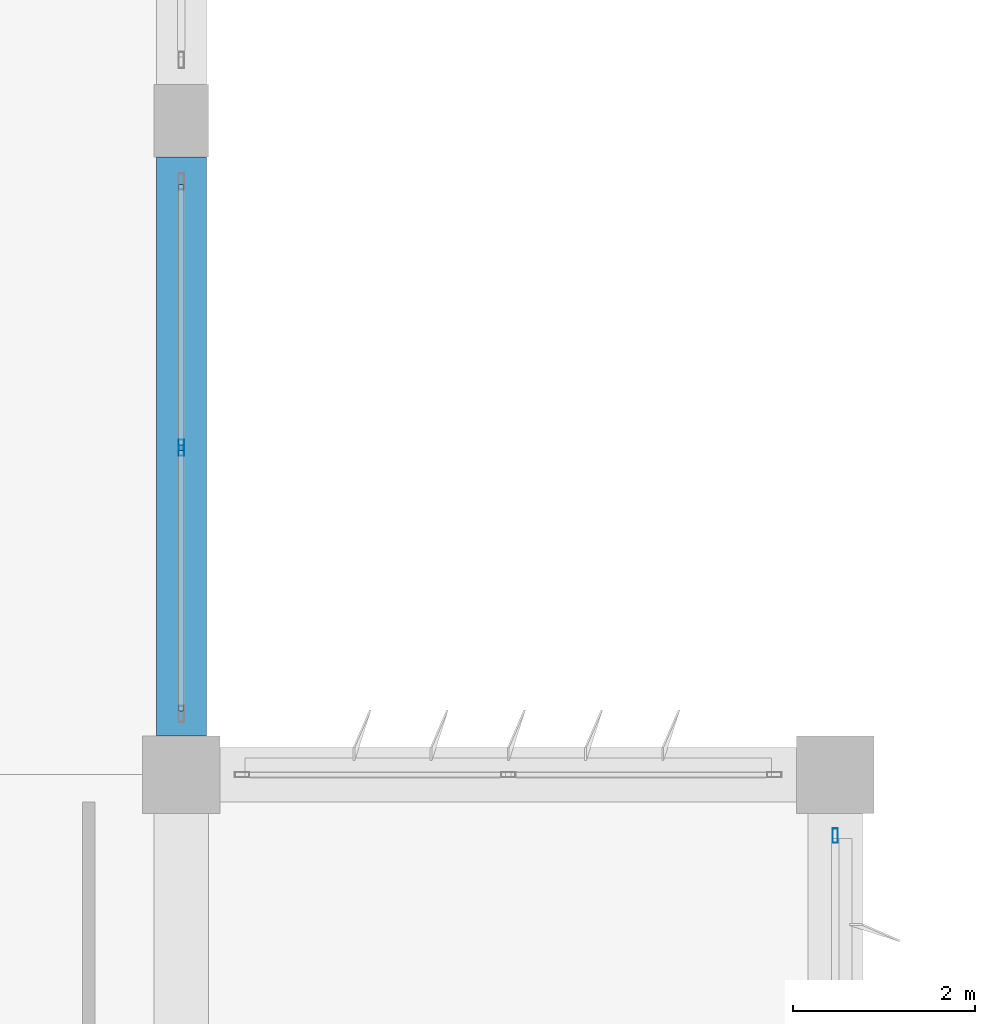
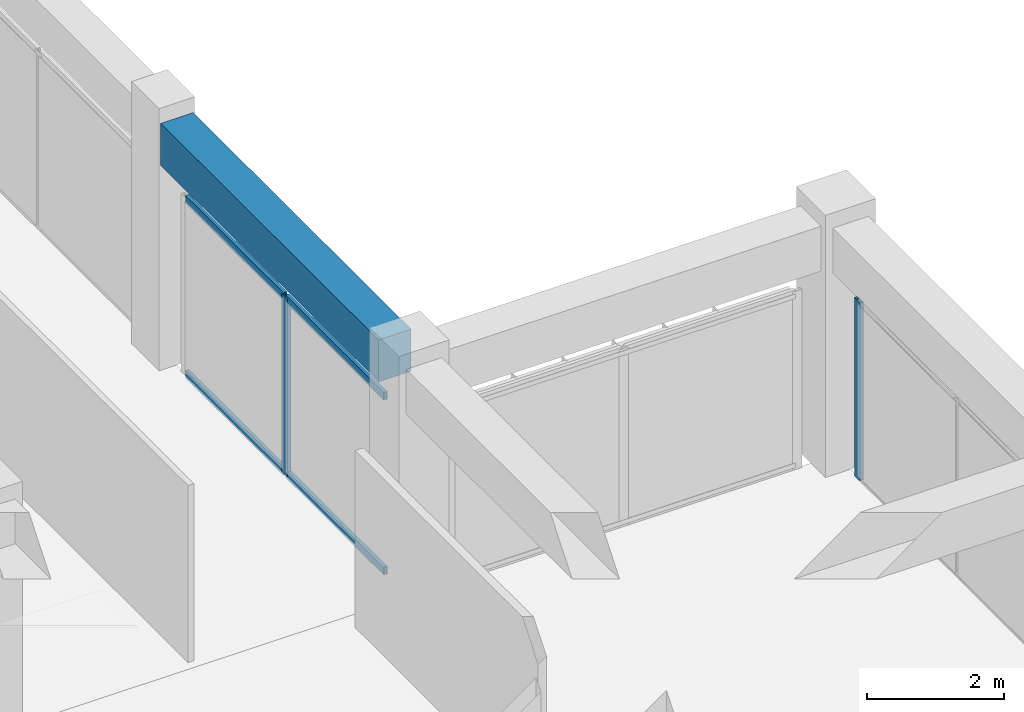
# One storey, part 21 of 55: 6 members, 1 beam, 2 elements without a shape of their own.
"""IFC4 building model written with IfcOpenShell, lengths in metres."""

from ifc_helpers import new_model, si_unit, direction, frame, origin, origin_2d, place, context, subcontext, project, spatial, rectangle, hollow_rectangle, extrude, material, material_profile, profile_set, type_object, element, aggregate, save


model = new_model("IFC4")

# Units and contexts
model_context = context("Model", 3, precision=1e-05, world=origin(), true_north=direction((0.0, 1.0)))
body_context = subcontext(model_context, "Body", "Model", "MODEL_VIEW")
ifc_project = project(units=[si_unit("LENGTHUNIT", "METRE"), si_unit("AREAUNIT", "SQUARE_METRE"), si_unit("VOLUMEUNIT", "CUBIC_METRE"), si_unit("PLANEANGLEUNIT", "RADIAN"), si_unit("MASSUNIT", "GRAM", prefix="KILO")], contexts=[model_context])

# Site, building, storey
site_placement = place(None, origin())
site = spatial("IfcSite", under=ifc_project, at=site_placement, CompositionType="ELEMENT")
building_placement = place(site_placement, origin())
building = spatial("IfcBuilding", under=site, at=building_placement, Name="Kazehaya Institute of Natural Sciences", CompositionType="ELEMENT")
storey_placement = place(building_placement, frame((0.0, 0.0, 15.1201171875)))
storey = spatial("IfcBuildingStorey", under=building, at=storey_placement, Name="L03", CompositionType="ELEMENT", Elevation=15.1201171875)

# Beam
ifc_material_1 = material(Name="Concrete Fc36", Category="concrete")
ifc_material_profile_1 = material_profile(ifc_material_1, rectangle(XDim=0.550048828125, YDim=0.75, at=origin_2d()), Name="RC-550x750")
ifc_profile_set_1 = profile_set([ifc_material_profile_1], Name="Concrete Fc36")
beam_type = type_object("IfcBeamType", Name="BM-G-550x750", PredefinedType="BEAM", material=ifc_profile_set_1)
beam_placement = place(storey_placement, frame((112.199951171875, 36.02490234375, 4.034912109375), z_axis=(0.0, 1.0, 0.0), x_axis=(-1.0, 0.0, 0.0)))
element("IfcBeam", 1, at=beam_placement, inside=storey, type_object=beam_type, Name="L03 primary Y girder BMY-L03-1122-356", PredefinedType="BEAM", context=body_context, shape_type="SweptSolid", body=[
    extrude(rectangle(XDim=0.550048828125, YDim=0.75, at=origin_2d()), origin(), (0.0, 0.0, 1.0), 6.375),
])

# Curtain wall, member
ifc_material_2 = material(Name="Aluminium alloy A6063S-T5", Category="aluminium")
curtain_wall_type_1 = type_object("IfcCurtainWallType", Name="CW-SYS-10", PredefinedType="NOTDEFINED", material=ifc_material_2)
curtain_wall_1_placement = place(storey_placement, origin())
curtain_wall_1 = element("IfcCurtainWall", 2, at=curtain_wall_1_placement, inside=storey, type_object=curtain_wall_type_1, Name="L03 unitised curtain wall CW-L03-074", PredefinedType="NOTDEFINED")
ifc_material_profile_2 = material_profile(ifc_material_2, hollow_rectangle(XDim=0.06005859375, YDim=0.159912109375, WallThickness=0.00390625, at=origin_2d()), Name="ALU-60x160x4")
ifc_profile_set_2 = profile_set([ifc_material_profile_2], Name="Aluminium alloy A6063S-T5")
member_type_1 = type_object("IfcMemberType", Name="CWM-160", PredefinedType="MULLION", material=ifc_profile_set_2)
member_1_placement = place(storey_placement, frame((119.39990234375, 34.929931640625, 0.0), z_axis=(0.0, 0.0, 1.0), x_axis=(1.0, 0.0, 0.0)))
member_1 = element("IfcMember", 3, at=member_1_placement, type_object=member_type_1, Name="CW10 mullion 1", PredefinedType="MULLION", context=body_context, shape_type="SweptSolid", body=[
    extrude(hollow_rectangle(XDim=0.06005859375, YDim=0.159912109375, WallThickness=0.00390625, at=origin_2d()), origin(), (0.0, 0.0, 1.0), 3.179931640625),
])
aggregate(curtain_wall_1, [member_1])

# Curtain wall, members
curtain_wall_type_2 = type_object("IfcCurtainWallType", Name="CW-SYS-04", PredefinedType="NOTDEFINED", material=ifc_material_2)
curtain_wall_2_placement = place(storey_placement, origin())
curtain_wall_2 = element("IfcCurtainWall", 4, at=curtain_wall_2_placement, inside=storey, type_object=curtain_wall_type_2, Name="L03 unitised curtain wall CW-L03-032", PredefinedType="NOTDEFINED")
ifc_material_profile_3 = material_profile(ifc_material_2, hollow_rectangle(XDim=0.06005859375, YDim=0.179931640625, WallThickness=0.00390625, at=origin_2d()), Name="ALU-60x180x4")
ifc_profile_set_3 = profile_set([ifc_material_profile_3], Name="Aluminium alloy A6063S-T5")
member_type_2 = type_object("IfcMemberType", Name="CWM-180", PredefinedType="MULLION", material=ifc_profile_set_3)
member_2_placement = place(storey_placement, frame((112.199951171875, 39.199951171875, 0.0), z_axis=(0.0, 0.0, 1.0), x_axis=(1.0, 0.0, 0.0)))
member_2 = element("IfcMember", 5, at=member_2_placement, type_object=member_type_2, Name="CW04 mullion 2", PredefinedType="MULLION", context=body_context, shape_type="SweptSolid", body=[
    extrude(hollow_rectangle(XDim=0.06005859375, YDim=0.179931640625, WallThickness=0.00390625, at=origin_2d()), origin(), (0.0, 0.0, 1.0), 3.179931640625),
])
ifc_material_profile_4 = material_profile(ifc_material_2, hollow_rectangle(XDim=0.06005859375, YDim=0.139892578125, WallThickness=0.00341796875, at=origin_2d()), Name="ALU-60x140x3.5")
ifc_profile_set_4 = profile_set([ifc_material_profile_4], Name="Aluminium alloy A6063S-T5")
member_type_3 = type_object("IfcMemberType", Name="CWT-140", PredefinedType="USERDEFINED", material=ifc_profile_set_4)
member_3_placement = place(storey_placement, frame((112.199951171875, 42.10009765625, 0.02978515625), z_axis=(0.0, -1.0, 0.0), x_axis=(1.0, 0.0, 0.0)))
member_3 = element("IfcMember", 6, at=member_3_placement, type_object=member_type_3, Name="CW04 transom 1.1", ObjectType="TRANSOM", PredefinedType="USERDEFINED", context=body_context, shape_type="SweptSolid", body=[
    extrude(hollow_rectangle(XDim=0.06005859375, YDim=0.139892578125, WallThickness=0.00341796875, at=origin_2d()), origin(), (0.0, 0.0, 1.0), 2.8701171875),
])
member_4_placement = place(storey_placement, frame((112.199951171875, 42.10009765625, 3.14990234375), z_axis=(0.0, -1.0, 0.0), x_axis=(1.0, 0.0, 0.0)))
member_4 = element("IfcMember", 7, at=member_4_placement, type_object=member_type_3, Name="CW04 transom 1.2", ObjectType="TRANSOM", PredefinedType="USERDEFINED", context=body_context, shape_type="SweptSolid", body=[
    extrude(hollow_rectangle(XDim=0.06005859375, YDim=0.139892578125, WallThickness=0.00341796875, at=origin_2d()), origin(), (0.0, 0.0, 1.0), 2.8701171875),
])
member_5_placement = place(storey_placement, frame((112.199951171875, 39.169921875, 0.02978515625), z_axis=(0.0, -1.0, 0.0), x_axis=(1.0, 0.0, 0.0)))
member_5 = element("IfcMember", 8, at=member_5_placement, type_object=member_type_3, Name="CW04 transom 2.1", ObjectType="TRANSOM", PredefinedType="USERDEFINED", context=body_context, shape_type="SweptSolid", body=[
    extrude(hollow_rectangle(XDim=0.06005859375, YDim=0.139892578125, WallThickness=0.00341796875, at=origin_2d()), origin(), (0.0, 0.0, 1.0), 2.869873046875),
])
member_6_placement = place(storey_placement, frame((112.199951171875, 39.169921875, 3.14990234375), z_axis=(0.0, -1.0, 0.0), x_axis=(1.0, 0.0, 0.0)))
member_6 = element("IfcMember", 9, at=member_6_placement, type_object=member_type_3, Name="CW04 transom 2.2", ObjectType="TRANSOM", PredefinedType="USERDEFINED", context=body_context, shape_type="SweptSolid", body=[
    extrude(hollow_rectangle(XDim=0.06005859375, YDim=0.139892578125, WallThickness=0.00341796875, at=origin_2d()), origin(), (0.0, 0.0, 1.0), 2.869873046875),
])
aggregate(curtain_wall_2, [member_2, member_3, member_4, member_5, member_6])

save(model, "model.ifc")
